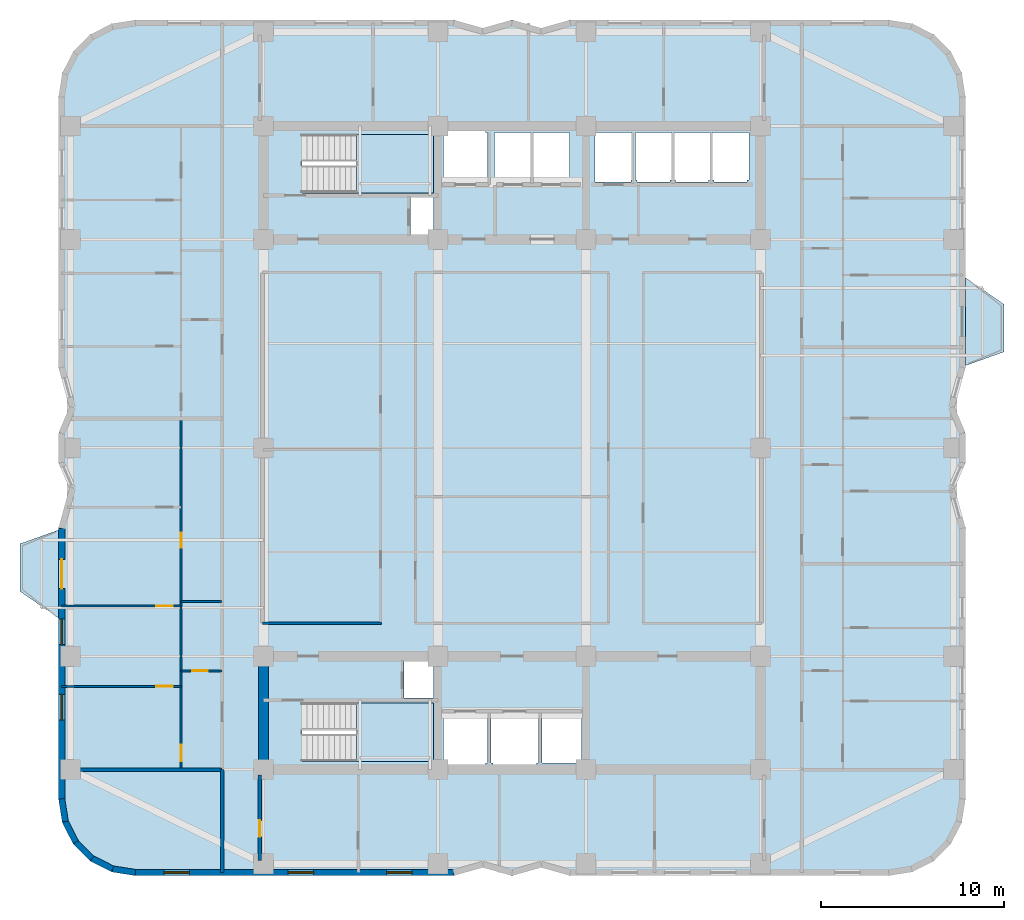
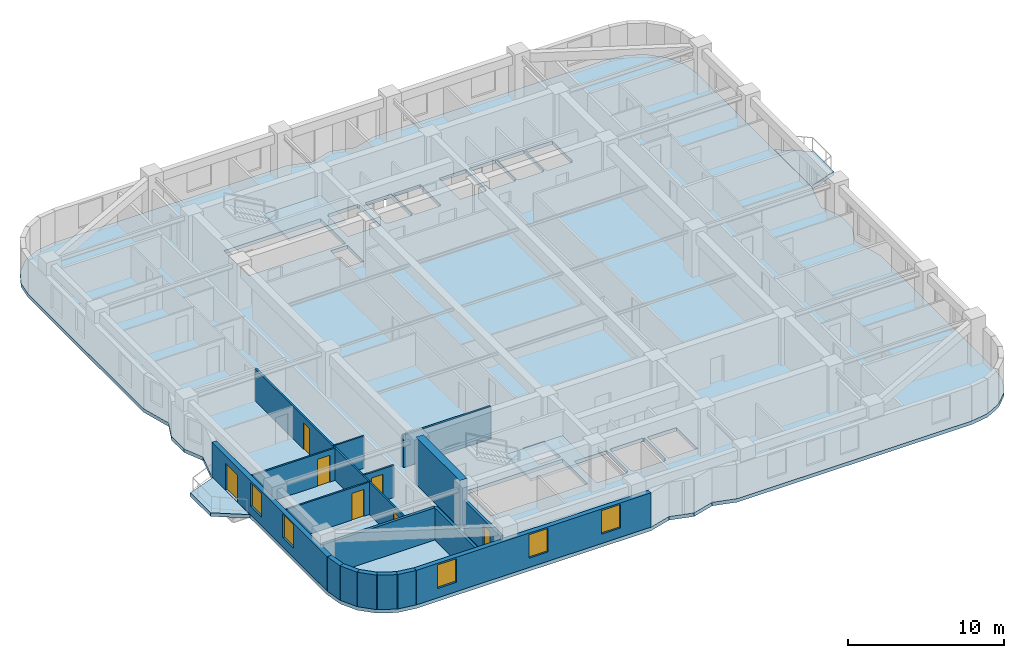
# One storey, part 2 of 9: 17 walls, 7 doors, 5 slabs, 5 windows, 12 openings, 2 elements without a shape of their own.
"""IFC4 building model written with IfcOpenShell, lengths in metres."""

from ifc_helpers import new_model, si_unit, direction, frame, frame_2d, origin, place, context, subcontext, project, spatial, polyline, rectangle, outline, extrude, material, layer, layer_set, type_object, element, fill, aggregate, save


model = new_model("IFC4")

# Units and contexts
model_context = context("Model", 3, precision=1e-05, world=origin(), true_north=direction((0.0, 1.0)))
body_context = subcontext(model_context, "Body", "Model", "MODEL_VIEW")
ifc_project = project(units=[si_unit("LENGTHUNIT", "METRE"), si_unit("AREAUNIT", "SQUARE_METRE"), si_unit("VOLUMEUNIT", "CUBIC_METRE"), si_unit("PLANEANGLEUNIT", "RADIAN"), si_unit("MASSUNIT", "GRAM", prefix="KILO")], contexts=[model_context])

# Site, building, storey
site_placement = place(None, origin())
site = spatial("IfcSite", under=ifc_project, at=site_placement, CompositionType="ELEMENT")
building_placement = place(site_placement, origin())
building = spatial("IfcBuilding", under=site, at=building_placement, Name="Svetorya Sky Lyceum", CompositionType="ELEMENT")
storey_placement = place(building_placement, frame((0.0, 0.0, 92.0)))
storey = spatial("IfcBuildingStorey", under=building, at=storey_placement, Name="L22", CompositionType="ELEMENT", Elevation=92.0)

# Slabs
ifc_material_1 = material(Name="Concrete C40/50", Category="concrete")
ifc_layer_1 = layer(ifc_material_1, 0.280029296875)
ifc_layer_set_1 = layer_set([ifc_layer_1], Name="Concrete C40/50")
slab_type_1 = type_object("IfcSlabType", Name="SL-BAL-280", PredefinedType="FLOOR", material=ifc_layer_set_1)
slab_1_placement = place(storey_placement, frame((0.0, 0.0, -0.280029296875)))
element("IfcSlab", 1, at=slab_1_placement, inside=storey, type_object=slab_type_1, Name="L22 Chamfered Loggia Balcony BAL-W1", PredefinedType="FLOOR", context=body_context, shape_type="SweptSolid", body=[
    extrude(outline(polyline([(14.389892578125, 18.89990234375), (14.389892578125, 23.699951171875), (12.2900390625, 22.949951171875), (12.2900390625, 20.35009765625), (14.389892578125, 18.89990234375)])), origin(), (0.0, 0.0, 1.0), 0.280029296875),
])
slab_2_placement = place(storey_placement, frame((0.0, 0.0, -0.280029296875)))
element("IfcSlab", 2, at=slab_2_placement, inside=storey, type_object=slab_type_1, Name="L22 Chamfered Loggia Balcony BAL-E1", PredefinedType="FLOOR", context=body_context, shape_type="SweptSolid", body=[
    extrude(outline(polyline([(64.010009765625, 32.699951171875), (66.110107421875, 33.449951171875), (66.110107421875, 36.050048828125), (64.010009765625, 37.5), (64.010009765625, 32.699951171875)])), origin(), (0.0, 0.0, 1.0), 0.280029296875),
])

# Stair, slab
stair_type_1 = type_object("IfcStairType", Name="STR-ST-S", PredefinedType="HALF_TURN_STAIR", material=ifc_material_1)
stair_1_placement = place(storey_placement, origin())
stair_1 = element("IfcStair", 3, at=stair_1_placement, inside=storey, type_object=stair_type_1, Name="L22 South Core Smoke-Free Exit Stair N2", PredefinedType="HALF_TURN_STAIR")
ifc_layer_2 = layer(ifc_material_1, 0.199951171875)
ifc_layer_set_2 = layer_set([ifc_layer_2], Name="Concrete C40/50")
slab_type_2 = type_object("IfcSlabType", Name="SL-STR-LAND-200", PredefinedType="LANDING", material=ifc_layer_set_2)
slab_3_placement = place(storey_placement, frame((0.0, 0.0, 1.64990234375)))
slab_3 = element("IfcSlab", 4, at=slab_3_placement, type_object=slab_type_2, Name="ST-S landing 1", PredefinedType="LANDING", context=body_context, shape_type="SweptSolid", body=[
    extrude(outline(polyline([(30.699951171875, 11.050048828125), (34.89990234375, 11.050048828125), (34.89990234375, 14.25), (30.699951171875, 14.25), (30.699951171875, 11.050048828125)])), origin(), (0.0, 0.0, 1.0), 0.2001953125),
])
aggregate(stair_1, [slab_3])

stair_type_2 = type_object("IfcStairType", Name="STR-ST-N", PredefinedType="HALF_TURN_STAIR", material=ifc_material_1)
stair_2_placement = place(storey_placement, origin())
stair_2 = element("IfcStair", 5, at=stair_2_placement, inside=storey, type_object=stair_type_2, Name="L22 North Core Smoke-Free Exit Stair N3", PredefinedType="HALF_TURN_STAIR")
slab_4_placement = place(storey_placement, frame((0.0, 0.0, 1.64990234375)))
slab_4 = element("IfcSlab", 6, at=slab_4_placement, type_object=slab_type_2, Name="ST-N landing 1", PredefinedType="LANDING", context=body_context, shape_type="SweptSolid", body=[
    extrude(outline(polyline([(30.699951171875, 42.14990234375), (34.89990234375, 42.14990234375), (34.89990234375, 45.35009765625), (30.699951171875, 45.35009765625), (30.699951171875, 42.14990234375)])), origin(), (0.0, 0.0, 1.0), 0.2001953125),
])
aggregate(stair_2, [slab_4])

# Slab
ifc_material_2 = material(Name="Concrete C50/60", Category="concrete")
ifc_layer_3 = layer(ifc_material_2, 0.280029296875)
ifc_layer_set_3 = layer_set([ifc_layer_3], Name="Concrete C50/60")
slab_type_3 = type_object("IfcSlabType", Name="SL-TWR-280", PredefinedType="FLOOR", material=ifc_layer_set_3)
slab_5_placement = place(storey_placement, frame((0.0, 0.0, -0.280029296875)))
element("IfcSlab", 7, at=slab_5_placement, inside=storey, type_object=slab_type_3, Name="L22 Structural Floor Slab", PredefinedType="FLOOR", context=body_context, shape_type="SweptSolid", body=[
    extrude(outline(polyline([(14.39990234375, 9.0), (14.605712890625, 7.7021484375), (15.2021484375, 6.53125), (16.13134765625, 5.60205078125), (17.302001953125, 5.005615234375), (18.60009765625, 4.800048828125), (36.0, 4.800048828125), (37.60009765625, 5.25), (39.199951171875, 4.800048828125), (40.800048828125, 5.25), (42.39990234375, 4.800048828125), (59.800048828125, 4.800048828125), (61.097900390625, 5.005615234375), (62.268798828125, 5.60205078125), (63.197998046875, 6.53125), (63.79443359375, 7.7021484375), (64.0, 9.0), (64.0, 23.800048828125), (63.39990234375, 26.0), (64.0, 27.39990234375), (64.0, 29.0), (63.39990234375, 30.39990234375), (64.0, 32.60009765625), (64.0, 47.39990234375), (63.79443359375, 48.697998046875), (63.197998046875, 49.86865234375), (62.268798828125, 50.7978515625), (61.097900390625, 51.394287109375), (59.800048828125, 51.60009765625), (42.39990234375, 51.60009765625), (40.800048828125, 51.14990234375), (39.199951171875, 51.60009765625), (37.60009765625, 51.14990234375), (36.0, 51.60009765625), (18.60009765625, 51.60009765625), (17.302001953125, 51.394287109375), (16.13134765625, 50.7978515625), (15.2021484375, 49.86865234375), (14.605712890625, 48.697998046875), (14.39990234375, 47.39990234375), (14.39990234375, 32.60009765625), (15.0, 30.39990234375), (14.39990234375, 29.0), (14.39990234375, 27.39990234375), (15.0, 26.0), (14.39990234375, 23.800048828125), (14.39990234375, 9.0)]), holes=[polyline([(37.85009765625, 10.949951171875), (37.75, 10.949951171875), (37.75, 10.85009765625), (35.550048828125, 10.85009765625), (35.550048828125, 10.949951171875), (35.449951171875, 10.949951171875), (35.449951171875, 13.64990234375), (35.550048828125, 13.64990234375), (37.75, 13.64990234375), (37.85009765625, 13.64990234375), (37.85009765625, 10.949951171875)]), polyline([(40.64990234375, 13.64990234375), (40.64990234375, 10.949951171875), (40.550048828125, 10.949951171875), (40.550048828125, 10.800048828125), (38.14990234375, 10.800048828125), (38.14990234375, 10.949951171875), (38.050048828125, 10.949951171875), (38.050048828125, 13.64990234375), (38.14990234375, 13.64990234375), (38.14990234375, 13.699951171875), (40.550048828125, 13.699951171875), (40.550048828125, 13.64990234375), (40.64990234375, 13.64990234375)]), polyline([(27.719970703125, 14.25), (34.89990234375, 14.25), (34.89990234375, 11.050048828125), (27.719970703125, 11.050048828125), (27.719970703125, 14.25)]), polyline([(33.300048828125, 14.52001953125), (33.300048828125, 16.580078125), (34.89990234375, 16.580078125), (34.89990234375, 14.52001953125), (33.300048828125, 14.52001953125)]), polyline([(33.64990234375, 41.89990234375), (34.89990234375, 41.89990234375), (34.89990234375, 39.820068359375), (33.64990234375, 39.820068359375), (33.64990234375, 41.89990234375)]), polyline([(27.719970703125, 45.35009765625), (34.89990234375, 45.35009765625), (34.89990234375, 42.14990234375), (27.719970703125, 42.14990234375), (27.719970703125, 45.35009765625)]), polyline([(37.75, 45.550048828125), (37.75, 45.449951171875), (37.85009765625, 45.449951171875), (37.85009765625, 42.75), (37.75, 42.75), (35.550048828125, 42.75), (35.449951171875, 42.75), (35.449951171875, 45.449951171875), (35.550048828125, 45.449951171875), (35.550048828125, 45.550048828125), (37.75, 45.550048828125)]), polyline([(38.39990234375, 42.85009765625), (38.25, 42.85009765625), (38.25, 45.449951171875), (38.39990234375, 45.449951171875), (40.199951171875, 45.449951171875), (40.25, 45.449951171875), (40.25, 42.85009765625), (40.199951171875, 42.85009765625), (40.199951171875, 42.75), (38.39990234375, 42.75), (38.39990234375, 42.85009765625)]), polyline([(40.85009765625, 13.64990234375), (43.0, 13.64990234375), (43.0, 10.949951171875), (40.85009765625, 10.949951171875), (40.85009765625, 13.64990234375)]), polyline([(40.39990234375, 42.85009765625), (40.35009765625, 42.85009765625), (40.35009765625, 45.449951171875), (40.39990234375, 45.449951171875), (42.300048828125, 45.449951171875), (42.35009765625, 45.449951171875), (42.35009765625, 42.85009765625), (42.300048828125, 42.85009765625), (42.300048828125, 42.75), (40.39990234375, 42.75), (40.39990234375, 42.85009765625)]), polyline([(43.75, 42.75), (43.75, 42.85009765625), (43.75, 45.449951171875), (45.699951171875, 45.449951171875), (45.75, 45.449951171875), (45.75, 42.85009765625), (45.699951171875, 42.85009765625), (45.699951171875, 42.75), (43.75, 42.75)]), polyline([(46.050048828125, 42.85009765625), (45.949951171875, 42.85009765625), (45.949951171875, 45.449951171875), (46.050048828125, 45.449951171875), (47.85009765625, 45.449951171875), (47.949951171875, 45.449951171875), (47.949951171875, 42.85009765625), (47.85009765625, 42.85009765625), (47.85009765625, 42.75), (46.050048828125, 42.75), (46.050048828125, 42.85009765625)]), polyline([(48.14990234375, 42.85009765625), (48.050048828125, 42.85009765625), (48.050048828125, 45.449951171875), (48.14990234375, 45.449951171875), (49.949951171875, 45.449951171875), (50.050048828125, 45.449951171875), (50.050048828125, 42.85009765625), (49.949951171875, 42.85009765625), (49.949951171875, 42.75), (48.14990234375, 42.75), (48.14990234375, 42.85009765625)]), polyline([(52.14990234375, 42.85009765625), (52.050048828125, 42.85009765625), (52.050048828125, 42.75), (50.25, 42.75), (50.25, 42.85009765625), (50.14990234375, 42.85009765625), (50.14990234375, 45.449951171875), (50.25, 45.449951171875), (52.050048828125, 45.449951171875), (52.14990234375, 45.449951171875), (52.14990234375, 42.85009765625)])]), origin(), (0.0, 0.0, 1.0), 0.280029296875),
])

# Walls
ifc_material_3 = material(Name="Concrete C60/75", Category="concrete")
ifc_layer_4 = layer(ifc_material_3, 0.550048828125)
ifc_layer_set_4 = layer_set([ifc_layer_4], Name="Concrete C60/75")
wall_type_1 = type_object("IfcWallType", Name="WL-CORE-550", PredefinedType="SHEAR", material=ifc_layer_set_4)
wall_1_placement = place(storey_placement, frame((25.60009765625, 10.875, 0.0), z_axis=(0.0, 0.0, 1.0), x_axis=(0.0, 1.0, 0.0)))
element("IfcWall", 8, at=wall_1_placement, inside=storey, type_object=wall_type_1, Name="L22 SC West Core Shear Wall", PredefinedType="SHEAR", context=body_context, shape_type="SweptSolid", body=[
    extrude(rectangle(XDim=5.64990234375, YDim=0.550048828125, at=frame_2d((2.824951171875, 0.0))), origin(), (0.0, 0.0, 1.0), 3.699951171875),
])
ifc_material_4 = material(Name="Putilovo limestone rainscreen on autoclaved cellular masonry", Category="masonry")
ifc_layer_5 = layer(ifc_material_4, 0.340087890625)
ifc_layer_set_5 = layer_set([ifc_layer_5], Name="Putilovo limestone rainscreen on autoclaved cellular masonry")
wall_type_2 = type_object("IfcWallType", Name="WL-EXT-340", PredefinedType="SOLIDWALL", material=ifc_layer_set_5)
wall_2_placement = place(storey_placement, frame((14.570068359375, 9.0, 0.0), z_axis=(0.0, 0.0, 1.0), x_axis=(0.156260864002, -0.98771582066, 0.0)))
element("IfcWall", 9, at=wall_2_placement, inside=storey, type_object=wall_type_2, Name="L22 Limestone Exterior Wall 1M", PredefinedType="SOLIDWALL", context=body_context, shape_type="SweptSolid", body=[
    extrude(rectangle(XDim=1.2607421875, YDim=0.340087890625, at=frame_2d((0.63037109375, 0.0))), origin(), (0.0, 0.0, 1.0), 2.699951171875),
])
wall_3_placement = place(storey_placement, frame((14.76708984375, 7.754638671875, 0.0), z_axis=(0.0, 0.0, 1.0), x_axis=(0.454015689056, -0.890993689142, 0.0)))
element("IfcWall", 10, at=wall_3_placement, inside=storey, type_object=wall_type_2, Name="L22 Limestone Exterior Wall 2M", PredefinedType="SOLIDWALL", context=body_context, shape_type="SweptSolid", body=[
    extrude(rectangle(XDim=1.260986328125, YDim=0.340087890625, at=frame_2d((0.63037109375, 0.0))), origin(), (0.0, 0.0, 1.0), 2.699951171875),
])
wall_4_placement = place(storey_placement, frame((15.339599609375, 6.631103515625, 0.0), z_axis=(0.0, 0.0, 1.0), x_axis=(0.707203598708, -0.707009950407, 0.0)))
element("IfcWall", 11, at=wall_4_placement, inside=storey, type_object=wall_type_2, Name="L22 Limestone Exterior Wall 3M", PredefinedType="SOLIDWALL", context=body_context, shape_type="SweptSolid", body=[
    extrude(rectangle(XDim=1.2607421875, YDim=0.340087890625, at=frame_2d((0.63037109375, 0.0))), origin(), (0.0, 0.0, 1.0), 2.699951171875),
])
for number, where, z_axis, x_axis, name in (
    (12, (16.231201171875, 5.73974609375, 0.0), (0.0, 0.0, 1.0), (0.890993689142, -0.454015689056, 0.0), "L22 Limestone Exterior Wall 4M"),
    (13, (17.354736328125, 5.167236328125, 0.0), (0.0, 0.0, 1.0), (0.987685918112, -0.15644975923, 0.0), "L22 Limestone Exterior Wall 5M"),
):
    element("IfcWall", number, at=place(storey_placement, frame(where, z_axis=z_axis, x_axis=x_axis)), inside=storey, type_object=wall_type_2, Name=name, PredefinedType="SOLIDWALL", context=body_context, shape_type="SweptSolid", body=[
        extrude(rectangle(XDim=1.260986328125, YDim=0.340087890625, at=frame_2d((0.63037109375, 0.0))), origin(), (0.0, 0.0, 1.0), 2.699951171875),
    ])

# Wall, openings, windows
wall_5_placement = place(storey_placement, frame((18.60009765625, 4.969970703125, 0.0), z_axis=(0.0, 0.0, 1.0), x_axis=(1.0, 0.0, 0.0)))
wall_5 = element("IfcWall", 14, at=wall_5_placement, inside=storey, type_object=wall_type_2, Name="L22 Limestone Exterior Wall 6M", PredefinedType="SOLIDWALL", context=body_context, shape_type="SweptSolid", body=[
    extrude(rectangle(XDim=17.39990234375, YDim=0.340087890625, at=frame_2d((8.699951171875, 0.0))), origin(), (0.0, 0.0, 1.0), 2.699951171875),
])
opening_1_placement = place(wall_5_placement, frame((1.56005859375, 0.0, 0.72998046875)))
opening_1 = element("IfcOpeningElement", 15, at=opening_1_placement, cuts=wall_5, Name="Opening W-R2", PredefinedType="OPENING", context=body_context, shape_type="SweptSolid", body=[
    extrude(rectangle(XDim=1.39990234375, YDim=1.85009765625, at=frame_2d((0.699951171875, 0.925048828125))), frame((0.0, 0.179931640625, 0.0), z_axis=(0.0, -1.0, 0.0), x_axis=(1.0, 0.0, 0.0)), (0.0, 0.0, 1.0), 0.360107421875),
])
opening_2_placement = place(wall_5_placement, frame((8.35009765625, 0.0, 0.72998046875)))
opening_2 = element("IfcOpeningElement", 16, at=opening_2_placement, cuts=wall_5, Name="Opening W-R2", PredefinedType="OPENING", context=body_context, shape_type="SweptSolid", body=[
    extrude(rectangle(XDim=1.39990234375, YDim=1.85009765625, at=frame_2d((0.699951171875, 0.925048828125))), frame((0.0, 0.179931640625, 0.0), z_axis=(0.0, -1.0, 0.0), x_axis=(1.0, 0.0, 0.0)), (0.0, 0.0, 1.0), 0.360107421875),
])
opening_3_placement = place(wall_5_placement, frame((13.739990234375, 0.0, 0.72998046875)))
opening_3 = element("IfcOpeningElement", 17, at=opening_3_placement, cuts=wall_5, Name="Opening W-R2", PredefinedType="OPENING", context=body_context, shape_type="SweptSolid", body=[
    extrude(rectangle(XDim=1.39990234375, YDim=1.85009765625, at=frame_2d((0.699951171875, 0.925048828125))), frame((0.0, 0.179931640625, 0.0), z_axis=(0.0, -1.0, 0.0), x_axis=(1.0, 0.0, 0.0)), (0.0, 0.0, 1.0), 0.360107421875),
])
ifc_material_5 = material(Name="Thermally broken aluminium frame with triple low-E glazing", Category="aluminium")
window_type = type_object("IfcWindowType", Name="WN-RES-140", PartitioningType="SINGLE_PANEL", PredefinedType="WINDOW", material=ifc_material_5)
window_1_placement = place(opening_1_placement, origin())
window_1 = element("IfcWindow", 18, at=window_1_placement, inside=storey, type_object=window_type, Name="L22 Facade Window W-R2.6M.1", OverallHeight=1.85009765625, OverallWidth=1.39990234375, PartitioningType="SINGLE_PANEL", PredefinedType="WINDOW", context=body_context, shape_type="SweptSolid", body=[
    extrude(rectangle(XDim=1.39990234375, YDim=1.85009765625, at=frame_2d((0.699951171875, 0.925048828125))), frame((0.0, 0.030029296875, 0.0), z_axis=(0.0, -1.0, 0.0), x_axis=(1.0, 0.0, 0.0)), (0.0, 0.0, 1.0), 0.06005859375),
])
fill(opening_1, window_1)
window_2_placement = place(opening_2_placement, origin())
window_2 = element("IfcWindow", 19, at=window_2_placement, inside=storey, type_object=window_type, Name="L22 Facade Window W-R2.6M.2", OverallHeight=1.85009765625, OverallWidth=1.39990234375, PartitioningType="SINGLE_PANEL", PredefinedType="WINDOW", context=body_context, shape_type="SweptSolid", body=[
    extrude(rectangle(XDim=1.39990234375, YDim=1.85009765625, at=frame_2d((0.699951171875, 0.925048828125))), frame((0.0, 0.030029296875, 0.0), z_axis=(0.0, -1.0, 0.0), x_axis=(1.0, 0.0, 0.0)), (0.0, 0.0, 1.0), 0.06005859375),
])
fill(opening_2, window_2)
window_3_placement = place(opening_3_placement, origin())
window_3 = element("IfcWindow", 20, at=window_3_placement, inside=storey, type_object=window_type, Name="L22 Facade Window W-R2.6M.3", OverallHeight=1.85009765625, OverallWidth=1.39990234375, PartitioningType="SINGLE_PANEL", PredefinedType="WINDOW", context=body_context, shape_type="SweptSolid", body=[
    extrude(rectangle(XDim=1.39990234375, YDim=1.85009765625, at=frame_2d((0.699951171875, 0.925048828125))), frame((0.0, 0.030029296875, 0.0), z_axis=(0.0, -1.0, 0.0), x_axis=(1.0, 0.0, 0.0)), (0.0, 0.0, 1.0), 0.06005859375),
])
fill(opening_3, window_3)

# Wall, openings, door, windows
wall_6_placement = place(storey_placement, frame((14.570068359375, 23.800048828125, 0.0), z_axis=(0.0, 0.0, 1.0), x_axis=(0.0, -1.0, 0.0)))
wall_6 = element("IfcWall", 21, at=wall_6_placement, inside=storey, type_object=wall_type_2, Name="L22 Limestone Exterior Wall 46M", PredefinedType="SOLIDWALL", context=body_context, shape_type="SweptSolid", body=[
    extrude(rectangle(XDim=14.800048828125, YDim=0.340087890625, at=frame_2d((7.39990234375, 0.0))), origin(), (0.0, 0.0, 1.0), 2.699951171875),
])
opening_4_placement = place(wall_6_placement, frame((1.699951171875, 0.0, 0.0)))
opening_4 = element("IfcOpeningElement", 22, at=opening_4_placement, cuts=wall_6, Name="Opening D-BL1", PredefinedType="OPENING", context=body_context, shape_type="SweptSolid", body=[
    extrude(rectangle(XDim=1.60009765625, YDim=2.10009765625, at=frame_2d((0.800048828125, 1.050048828125))), frame((0.0, 0.179931640625, 0.0), z_axis=(0.0, -1.0, 0.0), x_axis=(1.0, 0.0, 0.0)), (0.0, 0.0, 1.0), 0.360107421875),
])
opening_5_placement = place(wall_6_placement, frame((4.9599609375, 0.0, 0.68994140625)))
opening_5 = element("IfcOpeningElement", 23, at=opening_5_placement, cuts=wall_6, Name="Opening W-R2", PredefinedType="OPENING", context=body_context, shape_type="SweptSolid", body=[
    extrude(rectangle(XDim=1.39990234375, YDim=1.85009765625, at=frame_2d((0.699951171875, 0.925048828125))), frame((0.0, 0.179931640625, 0.0), z_axis=(0.0, -1.0, 0.0), x_axis=(1.0, 0.0, 0.0)), (0.0, 0.0, 1.0), 0.360107421875),
])
opening_6_placement = place(wall_6_placement, frame((9.08740234375, 0.0, 0.72998046875)))
opening_6 = element("IfcOpeningElement", 24, at=opening_6_placement, cuts=wall_6, Name="Opening W-R2", PredefinedType="OPENING", context=body_context, shape_type="SweptSolid", body=[
    extrude(rectangle(XDim=1.39990234375, YDim=1.85009765625, at=frame_2d((0.699951171875, 0.925048828125))), frame((0.0, 0.179931640625, 0.0), z_axis=(0.0, -1.0, 0.0), x_axis=(1.0, 0.0, 0.0)), (0.0, 0.0, 1.0), 0.360107421875),
])
ifc_material_6 = material(Name="Insulated glazed aluminium balcony door", Category="aluminium")
door_type_1 = type_object("IfcDoorType", Name="DR-BAL-1600", OperationType="DOUBLE_DOOR_SINGLE_SWING", PredefinedType="DOOR", material=ifc_material_6)
door_1_placement = place(opening_4_placement, origin())
door_1 = element("IfcDoor", 25, at=door_1_placement, inside=storey, type_object=door_type_1, Name="L22 Balcony BAL-W1 Door", OperationType="DOUBLE_DOOR_SINGLE_SWING", OverallHeight=2.10009765625, OverallWidth=1.60009765625, PredefinedType="DOOR", context=body_context, shape_type="SweptSolid", body=[
    extrude(rectangle(XDim=1.60009765625, YDim=2.10009765625, at=frame_2d((0.800048828125, 1.050048828125))), frame((0.0, 0.02490234375, 0.0), z_axis=(0.0, -1.0, 0.0), x_axis=(1.0, 0.0, 0.0)), (0.0, 0.0, 1.0), 0.050048828125),
])
fill(opening_4, door_1)
window_4_placement = place(opening_5_placement, origin())
window_4 = element("IfcWindow", 26, at=window_4_placement, inside=storey, type_object=window_type, Name="L22 Facade Window W-R2.46M.2", OverallHeight=1.85009765625, OverallWidth=1.39990234375, PartitioningType="SINGLE_PANEL", PredefinedType="WINDOW", context=body_context, shape_type="SweptSolid", body=[
    extrude(rectangle(XDim=1.39990234375, YDim=1.85009765625, at=frame_2d((0.699951171875, 0.925048828125))), frame((0.0, 0.030029296875, 0.0), z_axis=(0.0, -1.0, 0.0), x_axis=(1.0, 0.0, 0.0)), (0.0, 0.0, 1.0), 0.06005859375),
])
fill(opening_5, window_4)
window_5_placement = place(opening_6_placement, origin())
window_5 = element("IfcWindow", 27, at=window_5_placement, inside=storey, type_object=window_type, Name="L22 Facade Window W-R2.46M.1", OverallHeight=1.85009765625, OverallWidth=1.39990234375, PartitioningType="SINGLE_PANEL", PredefinedType="WINDOW", context=body_context, shape_type="SweptSolid", body=[
    extrude(rectangle(XDim=1.39990234375, YDim=1.85009765625, at=frame_2d((0.699951171875, 0.925048828125))), frame((0.0, 0.030029296875, 0.0), z_axis=(0.0, -1.0, 0.0), x_axis=(1.0, 0.0, 0.0)), (0.0, 0.0, 1.0), 0.06005859375),
])
fill(opening_6, window_5)

# Wall, opening, door
ifc_material_7 = material(Name="Twin-stud galvanized framing with double fireboard", Category="gypsum")
ifc_layer_6 = layer(ifc_material_7, 0.1201171875)
ifc_layer_set_6 = layer_set([ifc_layer_6], Name="Twin-stud galvanized framing with double fireboard")
wall_type_3 = type_object("IfcWallType", Name="WL-PART-120", PredefinedType="PARTITIONING", material=ifc_layer_set_6)
wall_7_placement = place(storey_placement, frame((21.10009765625, 16.0, 0.0), z_axis=(0.0, 0.0, 1.0), x_axis=(1.0, 0.0, 0.0)))
wall_7 = element("IfcWall", 28, at=wall_7_placement, inside=storey, type_object=wall_type_3, Name="L22 Interior Partition W1-WH1", PredefinedType="PARTITIONING", context=body_context, shape_type="SweptSolid", body=[
    extrude(rectangle(XDim=2.25, YDim=0.1201171875, at=frame_2d((1.125, 0.0))), origin(), (0.0, 0.0, 1.0), 2.530029296875),
])
opening_7_placement = place(wall_7_placement, frame((0.60009765625, 0.0, 0.0)))
opening_7 = element("IfcOpeningElement", 29, at=opening_7_placement, cuts=wall_7, Name="Opening D-BT1", PredefinedType="OPENING", context=body_context, shape_type="SweptSolid", body=[
    extrude(rectangle(XDim=0.85009765625, YDim=2.10009765625, at=frame_2d((0.425048828125, 1.050048828125))), frame((0.0, 0.070068359375, 0.0), z_axis=(0.0, -1.0, 0.0), x_axis=(1.0, 0.0, 0.0)), (0.0, 0.0, 1.0), 0.14013671875),
])
ifc_material_8 = material(Name="Moisture-resistant laminate bathroom door")
door_type_2 = type_object("IfcDoorType", Name="DR-WET-850", OperationType="SINGLE_SWING_LEFT", PredefinedType="DOOR", material=ifc_material_8)
door_2_placement = place(opening_7_placement, origin())
door_2 = element("IfcDoor", 30, at=door_2_placement, inside=storey, type_object=door_type_2, Name="Apartment W1 Bathroom Door", OperationType="SINGLE_SWING_LEFT", OverallHeight=2.10009765625, OverallWidth=0.85009765625, PredefinedType="DOOR", context=body_context, shape_type="SweptSolid", body=[
    extrude(rectangle(XDim=0.85009765625, YDim=2.10009765625, at=frame_2d((0.425048828125, 1.050048828125))), frame((0.0, 0.02490234375, 0.0), z_axis=(0.0, -1.0, 0.0), x_axis=(1.0, 0.0, 0.0)), (0.0, 0.0, 1.0), 0.050048828125),
])
fill(opening_7, door_2)

# Wall
wall_8_placement = place(storey_placement, frame((21.10009765625, 19.800048828125, 0.0), z_axis=(0.0, 0.0, 1.0), x_axis=(1.0, 0.0, 0.0)))
element("IfcWall", 31, at=wall_8_placement, inside=storey, type_object=wall_type_3, Name="L22 Interior Partition W1-WH2", PredefinedType="PARTITIONING", context=body_context, shape_type="SweptSolid", body=[
    extrude(rectangle(XDim=2.25, YDim=0.1201171875, at=frame_2d((1.125, 0.0))), origin(), (0.0, 0.0, 1.0), 2.530029296875),
])

# Wall, opening, door
wall_9_placement = place(storey_placement, frame((14.570068359375, 15.14990234375, 0.0), z_axis=(0.0, 0.0, 1.0), x_axis=(1.0, 0.0, 0.0)))
wall_9 = element("IfcWall", 32, at=wall_9_placement, inside=storey, type_object=wall_type_3, Name="L22 Interior Partition W1-WL1", PredefinedType="PARTITIONING", context=body_context, shape_type="SweptSolid", body=[
    extrude(rectangle(XDim=6.530029296875, YDim=0.1201171875, at=frame_2d((3.26513671875, 0.0))), origin(), (0.0, 0.0, 1.0), 2.530029296875),
])
opening_8_placement = place(wall_9_placement, frame((5.179931640625, 0.0, 0.0)))
opening_8 = element("IfcOpeningElement", 33, at=opening_8_placement, cuts=wall_9, Name="Opening D-RM1", PredefinedType="OPENING", context=body_context, shape_type="SweptSolid", body=[
    extrude(rectangle(XDim=0.89990234375, YDim=2.10009765625, at=frame_2d((0.449951171875, 1.050048828125))), frame((0.0, 0.070068359375, 0.0), z_axis=(0.0, -1.0, 0.0), x_axis=(1.0, 0.0, 0.0)), (0.0, 0.0, 1.0), 0.14013671875),
])
ifc_material_9 = material(Name="Lacquered birch veneer internal door")
door_type_3 = type_object("IfcDoorType", Name="DR-INT-900", OperationType="SINGLE_SWING_LEFT", PredefinedType="DOOR", material=ifc_material_9)
door_3_placement = place(opening_8_placement, origin())
door_3 = element("IfcDoor", 34, at=door_3_placement, inside=storey, type_object=door_type_3, Name="Apartment W1 Master Bedroom Door", OperationType="SINGLE_SWING_LEFT", OverallHeight=2.10009765625, OverallWidth=0.89990234375, PredefinedType="DOOR", context=body_context, shape_type="SweptSolid", body=[
    extrude(rectangle(XDim=0.89990234375, YDim=2.10009765625, at=frame_2d((0.449951171875, 1.050048828125))), frame((0.0, 0.02490234375, 0.0), z_axis=(0.0, -1.0, 0.0), x_axis=(1.0, 0.0, 0.0)), (0.0, 0.0, 1.0), 0.050048828125),
])
fill(opening_8, door_3)

wall_10_placement = place(storey_placement, frame((14.570068359375, 19.550048828125, 0.0), z_axis=(0.0, 0.0, 1.0), x_axis=(1.0, 0.0, 0.0)))
wall_10 = element("IfcWall", 35, at=wall_10_placement, inside=storey, type_object=wall_type_3, Name="L22 Interior Partition W1-WL2", PredefinedType="PARTITIONING", context=body_context, shape_type="SweptSolid", body=[
    extrude(rectangle(XDim=6.530029296875, YDim=0.1201171875, at=frame_2d((3.26513671875, 0.0))), origin(), (0.0, 0.0, 1.0), 2.530029296875),
])
opening_9_placement = place(wall_10_placement, frame((5.179931640625, 0.0, 0.0)))
opening_9 = element("IfcOpeningElement", 36, at=opening_9_placement, cuts=wall_10, Name="Opening D-RM1", PredefinedType="OPENING", context=body_context, shape_type="SweptSolid", body=[
    extrude(rectangle(XDim=0.89990234375, YDim=2.10009765625, at=frame_2d((0.449951171875, 1.050048828125))), frame((0.0, 0.070068359375, 0.0), z_axis=(0.0, -1.0, 0.0), x_axis=(1.0, 0.0, 0.0)), (0.0, 0.0, 1.0), 0.14013671875),
])
door_4_placement = place(opening_9_placement, origin())
door_4 = element("IfcDoor", 37, at=door_4_placement, inside=storey, type_object=door_type_3, Name="Apartment W1 Bedroom 2 Door", OperationType="SINGLE_SWING_RIGHT", OverallHeight=2.10009765625, OverallWidth=0.89990234375, PredefinedType="DOOR", context=body_context, shape_type="SweptSolid", body=[
    extrude(rectangle(XDim=0.89990234375, YDim=2.10009765625, at=frame_2d((0.449951171875, 1.050048828125))), frame((0.0, 0.02490234375, 0.0), z_axis=(0.0, -1.0, 0.0), x_axis=(1.0, 0.0, 0.0)), (0.0, 0.0, 1.0), 0.050048828125),
])
fill(opening_9, door_4)

# Wall, openings, doors
wall_11_placement = place(storey_placement, frame((21.10009765625, 10.639892578125, 0.0), z_axis=(0.0, 0.0, 1.0), x_axis=(0.0, 1.0, 0.0)))
wall_11 = element("IfcWall", 38, at=wall_11_placement, inside=storey, type_object=wall_type_3, Name="L22 Interior Partition W1-WV", PredefinedType="PARTITIONING", context=body_context, shape_type="SweptSolid", body=[
    extrude(rectangle(XDim=19.1201171875, YDim=0.1201171875, at=frame_2d((9.56005859375, 0.0))), origin(), (0.0, 0.0, 1.0), 2.530029296875),
])
opening_10_placement = place(wall_11_placement, frame((0.409912109375, 0.0, 0.0)))
opening_10 = element("IfcOpeningElement", 39, at=opening_10_placement, cuts=wall_11, Name="Opening D-RM1", PredefinedType="OPENING", context=body_context, shape_type="SweptSolid", body=[
    extrude(rectangle(XDim=0.89990234375, YDim=2.10009765625, at=frame_2d((0.449951171875, 1.050048828125))), frame((0.0, 0.070068359375, 0.0), z_axis=(0.0, -1.0, 0.0), x_axis=(1.0, 0.0, 0.0)), (0.0, 0.0, 1.0), 0.14013671875),
])
opening_11_placement = place(wall_11_placement, frame((12.10498046875, 0.0, 0.0)))
opening_11 = element("IfcOpeningElement", 40, at=opening_11_placement, cuts=wall_11, Name="Opening D-BT2", PredefinedType="OPENING", context=body_context, shape_type="SweptSolid", body=[
    extrude(rectangle(XDim=0.820068359375, YDim=2.080078125, at=frame_2d((0.41015625, 1.0400390625))), frame((0.0, 0.070068359375, 0.0), z_axis=(0.0, -1.0, 0.0), x_axis=(1.0, 0.0, 0.0)), (0.0, 0.0, 1.0), 0.14013671875),
])
door_5_placement = place(opening_10_placement, origin())
door_5 = element("IfcDoor", 41, at=door_5_placement, inside=storey, type_object=door_type_3, Name="Apartment W1 Living Door", OperationType="SINGLE_SWING_RIGHT", OverallHeight=2.10009765625, OverallWidth=0.89990234375, PredefinedType="DOOR", context=body_context, shape_type="SweptSolid", body=[
    extrude(rectangle(XDim=0.89990234375, YDim=2.10009765625, at=frame_2d((0.449951171875, 1.050048828125))), frame((0.0, 0.02490234375, 0.0), z_axis=(0.0, -1.0, 0.0), x_axis=(1.0, 0.0, 0.0)), (0.0, 0.0, 1.0), 0.050048828125),
])
fill(opening_10, door_5)
ifc_material_10 = material(Name="Compact moisture-resistant laminate closet door")
door_type_4 = type_object("IfcDoorType", Name="DR-WET-820", OperationType="SINGLE_SWING_LEFT", PredefinedType="DOOR", material=ifc_material_10)
door_6_placement = place(opening_11_placement, origin())
door_6 = element("IfcDoor", 42, at=door_6_placement, inside=storey, type_object=door_type_4, Name="Apartment W1 Study Door", OperationType="SINGLE_SWING_LEFT", OverallHeight=2.080078125, OverallWidth=0.820068359375, PredefinedType="DOOR", context=body_context, shape_type="SweptSolid", body=[
    extrude(rectangle(XDim=0.820068359375, YDim=2.080078125, at=frame_2d((0.41015625, 1.0400390625))), frame((0.0, 0.02490234375, 0.0), z_axis=(0.0, -1.0, 0.0), x_axis=(1.0, 0.0, 0.0)), (0.0, 0.0, 1.0), 0.050048828125),
])
fill(opening_11, door_6)

# Walls
ifc_material_11 = material(Name="Autoclaved cellular masonry blockwork with acoustic render", Category="masonry")
ifc_layer_7 = layer(ifc_material_11, 0.14990234375)
ifc_layer_set_7 = layer_set([ifc_layer_7], Name="Autoclaved cellular masonry blockwork with acoustic render")
wall_type_4 = type_object("IfcWallType", Name="WL-PART-150", PredefinedType="PARTITIONING", material=ifc_layer_set_7)
wall_12_placement = place(storey_placement, frame((25.550048828125, 18.60009765625, 0.0), z_axis=(0.0, 0.0, 1.0), x_axis=(1.0, 0.0, 0.0)))
element("IfcWall", 43, at=wall_12_placement, inside=storey, type_object=wall_type_4, Name="L22 Interior Partition RL-CS-W", PredefinedType="PARTITIONING", context=body_context, shape_type="SweptSolid", body=[
    extrude(rectangle(XDim=6.5, YDim=0.14990234375, at=frame_2d((3.25, 0.0))), origin(), (0.0, 0.0, 1.0), 2.530029296875),
])
ifc_material_12 = material(Name="Autoclaved cellular masonry blockwork with gypsum plaster", Category="masonry")
ifc_layer_8 = layer(ifc_material_12, 0.199951171875)
ifc_layer_set_8 = layer_set([ifc_layer_8], Name="Autoclaved cellular masonry blockwork with gypsum plaster")
wall_type_5 = type_object("IfcWallType", Name="WL-PART-200", PredefinedType="PARTITIONING", material=ifc_layer_set_8)
wall_13_placement = place(storey_placement, frame((14.989990234375, 10.60009765625, 0.0), z_axis=(0.0, 0.0, 1.0), x_axis=(1.0, 0.0, 0.0)))
element("IfcWall", 44, at=wall_13_placement, inside=storey, type_object=wall_type_5, Name="L22 Interior Partition W-CAP-S", PredefinedType="PARTITIONING", context=body_context, shape_type="SweptSolid", body=[
    extrude(rectangle(XDim=8.360107421875, YDim=0.199951171875, at=frame_2d((4.18017578125, 0.0))), origin(), (0.0, 0.0, 1.0), 2.530029296875),
])
wall_14_placement = place(storey_placement, frame((23.35009765625, 4.969970703125, 0.0), z_axis=(0.0, 0.0, 1.0), x_axis=(0.0, 1.0, 0.0)))
element("IfcWall", 45, at=wall_14_placement, inside=storey, type_object=wall_type_5, Name="L22 Interior Partition WC-SW-END", PredefinedType="PARTITIONING", context=body_context, shape_type="SweptSolid", body=[
    extrude(rectangle(XDim=5.630126953125, YDim=0.199951171875, at=frame_2d((2.81494140625, 0.0))), origin(), (0.0, 0.0, 1.0), 2.530029296875),
])

# Wall, opening, door
wall_15_placement = place(storey_placement, frame((25.39990234375, 5.6201171875, 0.0), z_axis=(0.0, 0.0, 1.0), x_axis=(0.0, 1.0, 0.0)))
wall_15 = element("IfcWall", 46, at=wall_15_placement, inside=storey, type_object=wall_type_5, Name="L22 Interior Partition S4-EW", PredefinedType="PARTITIONING", context=body_context, shape_type="SweptSolid", body=[
    extrude(rectangle(XDim=4.679931640625, YDim=0.199951171875, at=frame_2d((2.33984375, 0.0))), origin(), (0.0, 0.0, 1.0), 2.530029296875),
])
opening_12_placement = place(wall_15_placement, frame((1.300048828125, 0.0, 0.0)))
opening_12 = element("IfcOpeningElement", 47, at=opening_12_placement, cuts=wall_15, Name="Opening D-RM1", PredefinedType="OPENING", context=body_context, shape_type="SweptSolid", body=[
    extrude(rectangle(XDim=0.89990234375, YDim=2.10009765625, at=frame_2d((0.449951171875, 1.050048828125))), frame((0.0, 0.10986328125, 0.0), z_axis=(0.0, -1.0, 0.0), x_axis=(1.0, 0.0, 0.0)), (0.0, 0.0, 1.0), 0.219970703125),
])
door_7_placement = place(opening_12_placement, origin())
door_7 = element("IfcDoor", 48, at=door_7_placement, inside=storey, type_object=door_type_3, Name="L22 SW Office Door", OperationType="SINGLE_SWING_LEFT", OverallHeight=2.10009765625, OverallWidth=0.89990234375, PredefinedType="DOOR", context=body_context, shape_type="SweptSolid", body=[
    extrude(rectangle(XDim=0.89990234375, YDim=2.10009765625, at=frame_2d((0.449951171875, 1.050048828125))), frame((0.0, 0.02490234375, 0.0), z_axis=(0.0, -1.0, 0.0), x_axis=(1.0, 0.0, 0.0)), (0.0, 0.0, 1.0), 0.050048828125),
])
fill(opening_12, door_7)

save(model, "model.ifc")
